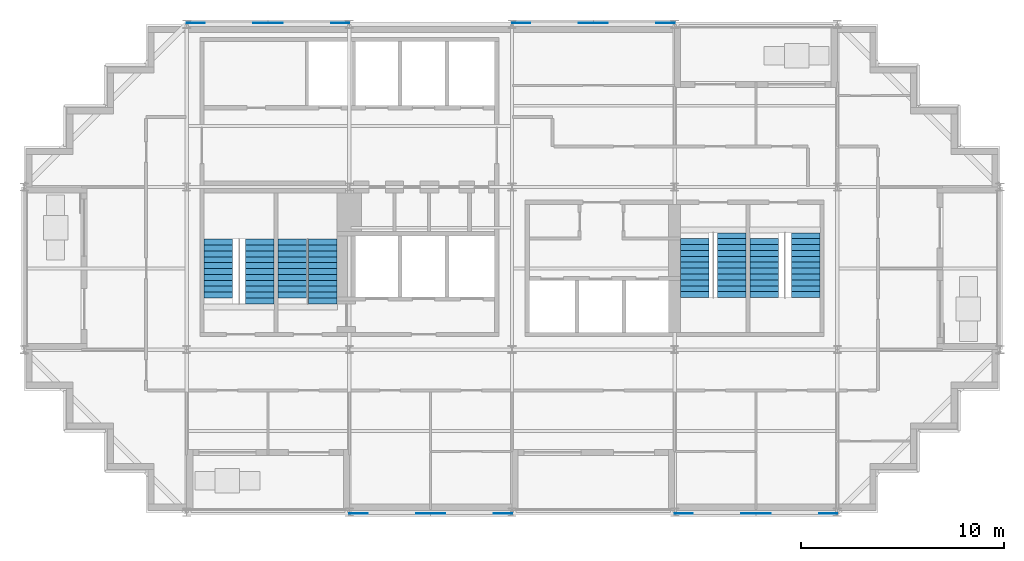
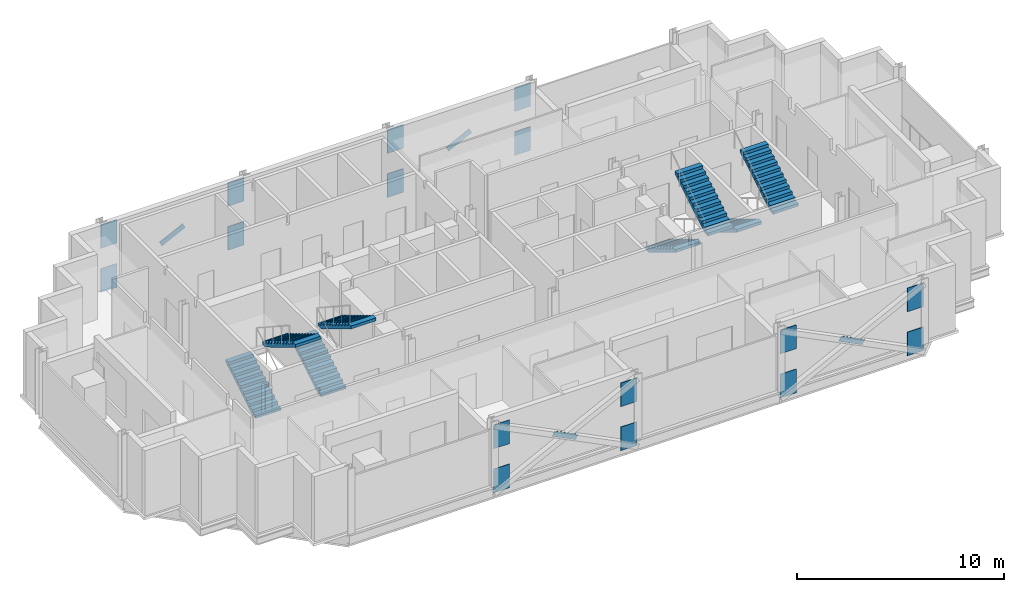
# One storey, part 8 of 10: 20 discrete accessories, 8 stair flights, 4 elements without a shape of their own.
"""IFC4 building model written with IfcOpenShell, lengths in metres."""

from ifc_helpers import new_model, si_unit, direction, frame, origin, origin_2d, place, context, subcontext, project, spatial, polyline, rectangle, outline, extrude, material, material_profile, profile_set, type_object, element, aggregate, save


model = new_model("IFC4")

# Units and contexts
model_context = context("Model", 3, precision=1e-05, world=origin(), true_north=direction((0.0, 1.0)))
body_context = subcontext(model_context, "Body", "Model", "MODEL_VIEW")
ifc_project = project(units=[si_unit("LENGTHUNIT", "METRE"), si_unit("AREAUNIT", "SQUARE_METRE"), si_unit("VOLUMEUNIT", "CUBIC_METRE"), si_unit("PLANEANGLEUNIT", "RADIAN"), si_unit("MASSUNIT", "GRAM", prefix="KILO")], contexts=[model_context])

# Site, building, storey
site_placement = place(None, origin())
site = spatial("IfcSite", under=ifc_project, at=site_placement, CompositionType="ELEMENT")
building_placement = place(site_placement, origin())
building = spatial("IfcBuilding", under=site, at=building_placement, Name="Immortelle Media Tower", CompositionType="ELEMENT")
storey_placement = place(building_placement, frame((0.0, 0.0, 229.0)))
storey = spatial("IfcBuildingStorey", under=building, at=storey_placement, Name="L49", CompositionType="ELEMENT", Elevation=229.0)

# Stair, stair flights
ifc_material_1 = material(Name="Steel ASTM A992 Gr 50", Category="steel")
stair_type = type_object("IfcStairType", Name="Stair with flights", PredefinedType="DOUBLE_RETURN_STAIR", material=ifc_material_1)
stair_1_placement = place(storey_placement, origin())
stair_1 = element("IfcStair", 1, at=stair_1_placement, inside=storey, type_object=stair_type, Name="Exit stair SW1", PredefinedType="DOUBLE_RETURN_STAIR")
stair_flight_type = type_object("IfcStairFlightType", Name="Stair flight 1400", PredefinedType="STRAIGHT", material=ifc_material_1)
stair_flight_1_placement = place(storey_placement, frame((9.550048828125, 10.5400390625, 0.0), z_axis=(0.0, 0.0, 1.0), x_axis=(0.0, 1.0, 0.0)))
stair_flight_1 = element("IfcStairFlight", 2, at=stair_flight_1_placement, type_object=stair_flight_type, Name="ST SW1 flight 1", NumberOfRisers=11, NumberOfTreads=10, PredefinedType="STRAIGHT", RiserHeight=0.173913043, TreadLength=0.29, context=body_context, shape_type="SweptSolid", body=[
    extrude(outline(polyline([(0.0, 0.0), (0.0, 0.173828125), (0.2900390625, 0.173828125), (0.2900390625, 0.347900390625), (0.580078125, 0.347900390625), (0.580078125, 0.521728515625), (0.8701171875, 0.521728515625), (0.8701171875, 0.695556640625), (1.159912109375, 0.695556640625), (1.159912109375, 0.86962890625), (1.449951171875, 0.86962890625), (1.449951171875, 1.04345703125), (1.739990234375, 1.04345703125), (1.739990234375, 1.21728515625), (2.030029296875, 1.21728515625), (2.030029296875, 1.391357421875), (2.320068359375, 1.391357421875), (2.320068359375, 1.565185546875), (2.610107421875, 1.565185546875), (2.610107421875, 1.739013671875), (2.89990234375, 1.739013671875), (2.89990234375, 1.9130859375), (2.89990234375, 1.564453125), (0.29150390625, 0.0), (0.0, 0.0)])), frame((0.0, 0.699951171875, 0.0), z_axis=(0.0, -1.0, 0.0), x_axis=(1.0, 0.0, 0.0)), (0.0, 0.0, 1.0), 1.39990234375),
])
stair_flight_2_placement = place(storey_placement, frame((11.60009765625, 13.43994140625, 1.9130859375), z_axis=(0.0, 0.0, 1.0), x_axis=(0.0, -1.0, 0.0)))
stair_flight_2 = element("IfcStairFlight", 3, at=stair_flight_2_placement, type_object=stair_flight_type, Name="ST SW1 flight 2", NumberOfRisers=12, NumberOfTreads=11, PredefinedType="STRAIGHT", RiserHeight=0.173913043, TreadLength=0.29, context=body_context, shape_type="SweptSolid", body=[
    extrude(outline(polyline([(0.0, 0.0), (0.0, 0.173828125), (0.2900390625, 0.173828125), (0.2900390625, 0.347900390625), (0.580078125, 0.347900390625), (0.580078125, 0.521728515625), (0.8701171875, 0.521728515625), (0.8701171875, 0.695556640625), (1.159912109375, 0.695556640625), (1.159912109375, 0.86962890625), (1.449951171875, 0.86962890625), (1.449951171875, 1.04345703125), (1.739990234375, 1.04345703125), (1.739990234375, 1.21728515625), (2.030029296875, 1.21728515625), (2.030029296875, 1.391357421875), (2.320068359375, 1.391357421875), (2.320068359375, 1.565185546875), (2.610107421875, 1.565185546875), (2.610107421875, 1.739013671875), (2.89990234375, 1.739013671875), (2.89990234375, 1.9130859375), (3.18994140625, 1.9130859375), (3.18994140625, 2.0869140625), (3.18994140625, 1.73828125), (0.29150390625, 0.0), (0.0, 0.0)])), frame((0.0, 0.699951171875, 0.0), z_axis=(0.0, -1.0, 0.0), x_axis=(1.0, 0.0, 0.0)), (0.0, 0.0, 1.0), 1.39990234375),
])
aggregate(stair_1, [stair_flight_1, stair_flight_2])

stair_2_placement = place(storey_placement, origin())
stair_2 = element("IfcStair", 4, at=stair_2_placement, inside=storey, type_object=stair_type, Name="Exit stair SW2", PredefinedType="DOUBLE_RETURN_STAIR")
stair_flight_3_placement = place(storey_placement, frame((13.199951171875, 10.5400390625, 0.0), z_axis=(0.0, 0.0, 1.0), x_axis=(0.0, 1.0, 0.0)))
stair_flight_3 = element("IfcStairFlight", 5, at=stair_flight_3_placement, type_object=stair_flight_type, Name="ST SW2 flight 1", NumberOfRisers=11, NumberOfTreads=10, PredefinedType="STRAIGHT", RiserHeight=0.173913043, TreadLength=0.29, context=body_context, shape_type="SweptSolid", body=[
    extrude(outline(polyline([(0.0, 0.0), (0.0, 0.173828125), (0.2900390625, 0.173828125), (0.2900390625, 0.347900390625), (0.580078125, 0.347900390625), (0.580078125, 0.521728515625), (0.8701171875, 0.521728515625), (0.8701171875, 0.695556640625), (1.159912109375, 0.695556640625), (1.159912109375, 0.86962890625), (1.449951171875, 0.86962890625), (1.449951171875, 1.04345703125), (1.739990234375, 1.04345703125), (1.739990234375, 1.21728515625), (2.030029296875, 1.21728515625), (2.030029296875, 1.391357421875), (2.320068359375, 1.391357421875), (2.320068359375, 1.565185546875), (2.610107421875, 1.565185546875), (2.610107421875, 1.739013671875), (2.89990234375, 1.739013671875), (2.89990234375, 1.9130859375), (2.89990234375, 1.564453125), (0.29150390625, 0.0), (0.0, 0.0)])), frame((0.0, 0.699951171875, 0.0), z_axis=(0.0, -1.0, 0.0), x_axis=(1.0, 0.0, 0.0)), (0.0, 0.0, 1.0), 1.39990234375),
])
stair_flight_4_placement = place(storey_placement, frame((14.699951171875, 13.43994140625, 1.9130859375), z_axis=(0.0, 0.0, 1.0), x_axis=(0.0, -1.0, 0.0)))
stair_flight_4 = element("IfcStairFlight", 6, at=stair_flight_4_placement, type_object=stair_flight_type, Name="ST SW2 flight 2", NumberOfRisers=12, NumberOfTreads=11, PredefinedType="STRAIGHT", RiserHeight=0.173913043, TreadLength=0.29, context=body_context, shape_type="SweptSolid", body=[
    extrude(outline(polyline([(0.0, 0.0), (0.0, 0.173828125), (0.2900390625, 0.173828125), (0.2900390625, 0.347900390625), (0.580078125, 0.347900390625), (0.580078125, 0.521728515625), (0.8701171875, 0.521728515625), (0.8701171875, 0.695556640625), (1.159912109375, 0.695556640625), (1.159912109375, 0.86962890625), (1.449951171875, 0.86962890625), (1.449951171875, 1.04345703125), (1.739990234375, 1.04345703125), (1.739990234375, 1.21728515625), (2.030029296875, 1.21728515625), (2.030029296875, 1.391357421875), (2.320068359375, 1.391357421875), (2.320068359375, 1.565185546875), (2.610107421875, 1.565185546875), (2.610107421875, 1.739013671875), (2.89990234375, 1.739013671875), (2.89990234375, 1.9130859375), (3.18994140625, 1.9130859375), (3.18994140625, 2.0869140625), (3.18994140625, 1.73828125), (0.29150390625, 0.0), (0.0, 0.0)])), frame((0.0, 0.699951171875, 0.0), z_axis=(0.0, -1.0, 0.0), x_axis=(1.0, 0.0, 0.0)), (0.0, 0.0, 1.0), 1.39990234375),
])
aggregate(stair_2, [stair_flight_3, stair_flight_4])

stair_3_placement = place(storey_placement, origin())
stair_3 = element("IfcStair", 7, at=stair_3_placement, inside=storey, type_object=stair_type, Name="Exit stair SE1", PredefinedType="DOUBLE_RETURN_STAIR")
stair_flight_5_placement = place(storey_placement, frame((33.0, 13.4599609375, 0.0), z_axis=(0.0, 0.0, 1.0), x_axis=(0.0, -1.0, 0.0)))
stair_flight_5 = element("IfcStairFlight", 8, at=stair_flight_5_placement, type_object=stair_flight_type, Name="ST SE1 flight 1", NumberOfRisers=11, NumberOfTreads=10, PredefinedType="STRAIGHT", RiserHeight=0.173913043, TreadLength=0.29, context=body_context, shape_type="SweptSolid", body=[
    extrude(outline(polyline([(0.0, 0.0), (0.0, 0.173828125), (0.2900390625, 0.173828125), (0.2900390625, 0.347900390625), (0.580078125, 0.347900390625), (0.580078125, 0.521728515625), (0.8701171875, 0.521728515625), (0.8701171875, 0.695556640625), (1.159912109375, 0.695556640625), (1.159912109375, 0.86962890625), (1.449951171875, 0.86962890625), (1.449951171875, 1.04345703125), (1.739990234375, 1.04345703125), (1.739990234375, 1.21728515625), (2.030029296875, 1.21728515625), (2.030029296875, 1.391357421875), (2.320068359375, 1.391357421875), (2.320068359375, 1.565185546875), (2.610107421875, 1.565185546875), (2.610107421875, 1.739013671875), (2.89990234375, 1.739013671875), (2.89990234375, 1.9130859375), (2.89990234375, 1.564453125), (0.29150390625, 0.0), (0.0, 0.0)])), frame((0.0, 0.699951171875, 0.0), z_axis=(0.0, -1.0, 0.0), x_axis=(1.0, 0.0, 0.0)), (0.0, 0.0, 1.0), 1.39990234375),
])
stair_flight_6_placement = place(storey_placement, frame((34.800048828125, 10.56005859375, 1.9130859375), z_axis=(0.0, 0.0, 1.0), x_axis=(0.0, 1.0, 0.0)))
stair_flight_6 = element("IfcStairFlight", 9, at=stair_flight_6_placement, type_object=stair_flight_type, Name="ST SE1 flight 2", NumberOfRisers=12, NumberOfTreads=11, PredefinedType="STRAIGHT", RiserHeight=0.173913043, TreadLength=0.29, context=body_context, shape_type="SweptSolid", body=[
    extrude(outline(polyline([(0.0, 0.0), (0.0, 0.173828125), (0.2900390625, 0.173828125), (0.2900390625, 0.347900390625), (0.580078125, 0.347900390625), (0.580078125, 0.521728515625), (0.8701171875, 0.521728515625), (0.8701171875, 0.695556640625), (1.159912109375, 0.695556640625), (1.159912109375, 0.86962890625), (1.449951171875, 0.86962890625), (1.449951171875, 1.04345703125), (1.739990234375, 1.04345703125), (1.739990234375, 1.21728515625), (2.030029296875, 1.21728515625), (2.030029296875, 1.391357421875), (2.320068359375, 1.391357421875), (2.320068359375, 1.565185546875), (2.610107421875, 1.565185546875), (2.610107421875, 1.739013671875), (2.89990234375, 1.739013671875), (2.89990234375, 1.9130859375), (3.18994140625, 1.9130859375), (3.18994140625, 2.0869140625), (3.18994140625, 1.73828125), (0.29150390625, 0.0), (0.0, 0.0)])), frame((0.0, 0.699951171875, 0.0), z_axis=(0.0, -1.0, 0.0), x_axis=(1.0, 0.0, 0.0)), (0.0, 0.0, 1.0), 1.39990234375),
])
aggregate(stair_3, [stair_flight_5, stair_flight_6])

stair_4_placement = place(storey_placement, origin())
stair_4 = element("IfcStair", 10, at=stair_4_placement, inside=storey, type_object=stair_type, Name="Exit stair SE2", PredefinedType="DOUBLE_RETURN_STAIR")
stair_flight_7_placement = place(storey_placement, frame((36.39990234375, 13.4599609375, 0.0), z_axis=(0.0, 0.0, 1.0), x_axis=(0.0, -1.0, 0.0)))
stair_flight_7 = element("IfcStairFlight", 11, at=stair_flight_7_placement, type_object=stair_flight_type, Name="ST SE2 flight 1", NumberOfRisers=11, NumberOfTreads=10, PredefinedType="STRAIGHT", RiserHeight=0.173913043, TreadLength=0.29, context=body_context, shape_type="SweptSolid", body=[
    extrude(outline(polyline([(0.0, 0.0), (0.0, 0.173828125), (0.2900390625, 0.173828125), (0.2900390625, 0.347900390625), (0.580078125, 0.347900390625), (0.580078125, 0.521728515625), (0.8701171875, 0.521728515625), (0.8701171875, 0.695556640625), (1.159912109375, 0.695556640625), (1.159912109375, 0.86962890625), (1.449951171875, 0.86962890625), (1.449951171875, 1.04345703125), (1.739990234375, 1.04345703125), (1.739990234375, 1.21728515625), (2.030029296875, 1.21728515625), (2.030029296875, 1.391357421875), (2.320068359375, 1.391357421875), (2.320068359375, 1.565185546875), (2.610107421875, 1.565185546875), (2.610107421875, 1.739013671875), (2.89990234375, 1.739013671875), (2.89990234375, 1.9130859375), (2.89990234375, 1.564453125), (0.29150390625, 0.0), (0.0, 0.0)])), frame((0.0, 0.699951171875, 0.0), z_axis=(0.0, -1.0, 0.0), x_axis=(1.0, 0.0, 0.0)), (0.0, 0.0, 1.0), 1.39990234375),
])
stair_flight_8_placement = place(storey_placement, frame((38.449951171875, 10.56005859375, 1.9130859375), z_axis=(0.0, 0.0, 1.0), x_axis=(0.0, 1.0, 0.0)))
stair_flight_8 = element("IfcStairFlight", 12, at=stair_flight_8_placement, type_object=stair_flight_type, Name="ST SE2 flight 2", NumberOfRisers=12, NumberOfTreads=11, PredefinedType="STRAIGHT", RiserHeight=0.173913043, TreadLength=0.29, context=body_context, shape_type="SweptSolid", body=[
    extrude(outline(polyline([(0.0, 0.0), (0.0, 0.173828125), (0.2900390625, 0.173828125), (0.2900390625, 0.347900390625), (0.580078125, 0.347900390625), (0.580078125, 0.521728515625), (0.8701171875, 0.521728515625), (0.8701171875, 0.695556640625), (1.159912109375, 0.695556640625), (1.159912109375, 0.86962890625), (1.449951171875, 0.86962890625), (1.449951171875, 1.04345703125), (1.739990234375, 1.04345703125), (1.739990234375, 1.21728515625), (2.030029296875, 1.21728515625), (2.030029296875, 1.391357421875), (2.320068359375, 1.391357421875), (2.320068359375, 1.565185546875), (2.610107421875, 1.565185546875), (2.610107421875, 1.739013671875), (2.89990234375, 1.739013671875), (2.89990234375, 1.9130859375), (3.18994140625, 1.9130859375), (3.18994140625, 2.0869140625), (3.18994140625, 1.73828125), (0.29150390625, 0.0), (0.0, 0.0)])), frame((0.0, 0.699951171875, 0.0), z_axis=(0.0, -1.0, 0.0), x_axis=(1.0, 0.0, 0.0)), (0.0, 0.0, 1.0), 1.39990234375),
])
aggregate(stair_4, [stair_flight_7, stair_flight_8])

# Discrete accessories
ifc_material_2 = material(Name="Steel ASTM A572 Gr 50", Category="steel")
ifc_material_profile_1 = material_profile(ifc_material_2, rectangle(XDim=0.02392578125, YDim=0.304931640625, at=origin_2d()), Name="PL 24 x 305")
ifc_profile_set_1 = profile_set([ifc_material_profile_1], Name="Steel ASTM A572 Gr 50")
discrete_accessory_type_1 = type_object("IfcDiscreteAccessoryType", Name="Crossing plate XP-BR6 1450 x 305 x 24", PredefinedType="USERDEFINED", material=ifc_profile_set_1)
for number, where, z_axis, x_axis, name in (
    (13, (28.6484375, 24.0625, 1.8681640625), (-0.894427191, 0.0, -0.4472135955), (0.0, -1.0, 0.0), "Crossing plate XP-BR6 of Brace D/4-5 A and Brace D/4-5 B"),
    (14, (12.6484375, 24.0625, 1.8681640625), (-0.894427191, 0.0, -0.4472135955), (0.0, -1.0, 0.0), "Crossing plate XP-BR6 of Brace D/2-3 A and Brace D/2-3 B"),
    (15, (19.3515625, -0.0625, 1.8681640625), (0.894427191, 0.0, -0.4472135955), (0.0, 1.0, 0.0), "Crossing plate XP-BR6 of Brace A/3-4 A and Brace A/3-4 B"),
    (16, (35.3515625, -0.0625, 1.8681640625), (0.894427191, 0.0, -0.4472135955), (0.0, 1.0, 0.0), "Crossing plate XP-BR6 of Brace A/5-6 A and Brace A/5-6 B"),
):
    element("IfcDiscreteAccessory", number, at=place(storey_placement, frame(where, z_axis=z_axis, x_axis=x_axis)), inside=storey, type_object=discrete_accessory_type_1, Name=name, ObjectType="CROSSING PLATE", PredefinedType="USERDEFINED", context=body_context, shape_type="SweptSolid", body=[
        extrude(rectangle(XDim=0.02392578125, YDim=0.304931640625, at=origin_2d()), origin(), (0.0, 0.0, 1.0), 1.449951171875),
    ])
ifc_material_profile_2 = material_profile(ifc_material_2, rectangle(XDim=0.031982421875, YDim=1.39990234375, at=origin_2d()), Name="PL 32 x 1400")
ifc_profile_set_2 = profile_set([ifc_material_profile_2], Name="Steel ASTM A572 Gr 50")
discrete_accessory_type_2 = type_object("IfcDiscreteAccessoryType", Name="Gusset plate GP1 900 x 1400 x 32", PredefinedType="USERDEFINED", material=ifc_profile_set_2)
for number, where, z_axis, x_axis, name in (
    (17, (16.0, -0.0625, 0.243896484375), (1.0, 0.0, 0.0), (0.0, 1.0, 0.0), "Gusset plate GP1, lower end of Brace A/3-4 A"),
    (18, (24.0, -0.0625, 2.843994140625), (-1.0, 0.0, 0.0), (0.0, -1.0, 0.0), "Gusset plate GP1, upper end of Brace A/3-4 A"),
    (19, (24.0, -0.0625, 0.243896484375), (-1.0, 0.0, 0.0), (0.0, -1.0, 0.0), "Gusset plate GP1, lower end of Brace A/3-4 B"),
    (20, (16.0, -0.0625, 2.843994140625), (1.0, 0.0, 0.0), (0.0, 1.0, 0.0), "Gusset plate GP1, upper end of Brace A/3-4 B"),
    (21, (32.0, -0.0625, 0.243896484375), (1.0, 0.0, 0.0), (0.0, 1.0, 0.0), "Gusset plate GP1, lower end of Brace A/5-6 A"),
    (22, (40.0, -0.0625, 2.843994140625), (-1.0, 0.0, 0.0), (0.0, -1.0, 0.0), "Gusset plate GP1, upper end of Brace A/5-6 A"),
    (23, (40.0, -0.0625, 0.243896484375), (-1.0, 0.0, 0.0), (0.0, -1.0, 0.0), "Gusset plate GP1, lower end of Brace A/5-6 B"),
    (24, (32.0, -0.0625, 2.843994140625), (1.0, 0.0, 0.0), (0.0, 1.0, 0.0), "Gusset plate GP1, upper end of Brace A/5-6 B"),
    (25, (32.0, 24.0625, 0.243896484375), (-1.0, 0.0, 0.0), (0.0, -1.0, 0.0), "Gusset plate GP1, lower end of Brace D/4-5 A"),
    (26, (24.0, 24.0625, 2.843994140625), (1.0, 0.0, 0.0), (0.0, 1.0, 0.0), "Gusset plate GP1, upper end of Brace D/4-5 A"),
    (27, (24.0, 24.0625, 0.243896484375), (1.0, 0.0, 0.0), (0.0, 1.0, 0.0), "Gusset plate GP1, lower end of Brace D/4-5 B"),
    (28, (32.0, 24.0625, 2.843994140625), (-1.0, 0.0, 0.0), (0.0, -1.0, 0.0), "Gusset plate GP1, upper end of Brace D/4-5 B"),
    (29, (16.0, 24.0625, 0.243896484375), (-1.0, 0.0, 0.0), (0.0, -1.0, 0.0), "Gusset plate GP1, lower end of Brace D/2-3 A"),
    (30, (8.0, 24.0625, 2.843994140625), (1.0, 0.0, 0.0), (0.0, 1.0, 0.0), "Gusset plate GP1, upper end of Brace D/2-3 A"),
    (31, (8.0, 24.0625, 0.243896484375), (1.0, 0.0, 0.0), (0.0, 1.0, 0.0), "Gusset plate GP1, lower end of Brace D/2-3 B"),
    (32, (16.0, 24.0625, 2.843994140625), (-1.0, 0.0, 0.0), (0.0, -1.0, 0.0), "Gusset plate GP1, upper end of Brace D/2-3 B"),
):
    element("IfcDiscreteAccessory", number, at=place(storey_placement, frame(where, z_axis=z_axis, x_axis=x_axis)), inside=storey, type_object=discrete_accessory_type_2, Name=name, ObjectType="GUSSET PLATE", PredefinedType="USERDEFINED", context=body_context, shape_type="SweptSolid", body=[
        extrude(rectangle(XDim=0.031982421875, YDim=1.39990234375, at=origin_2d()), origin(), (0.0, 0.0, 1.0), 0.89990234375),
    ])

save(model, "model.ifc")
